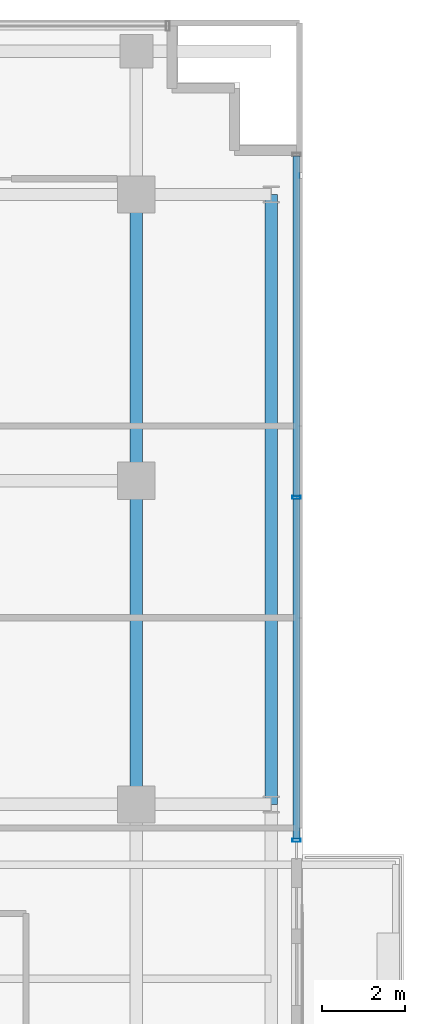
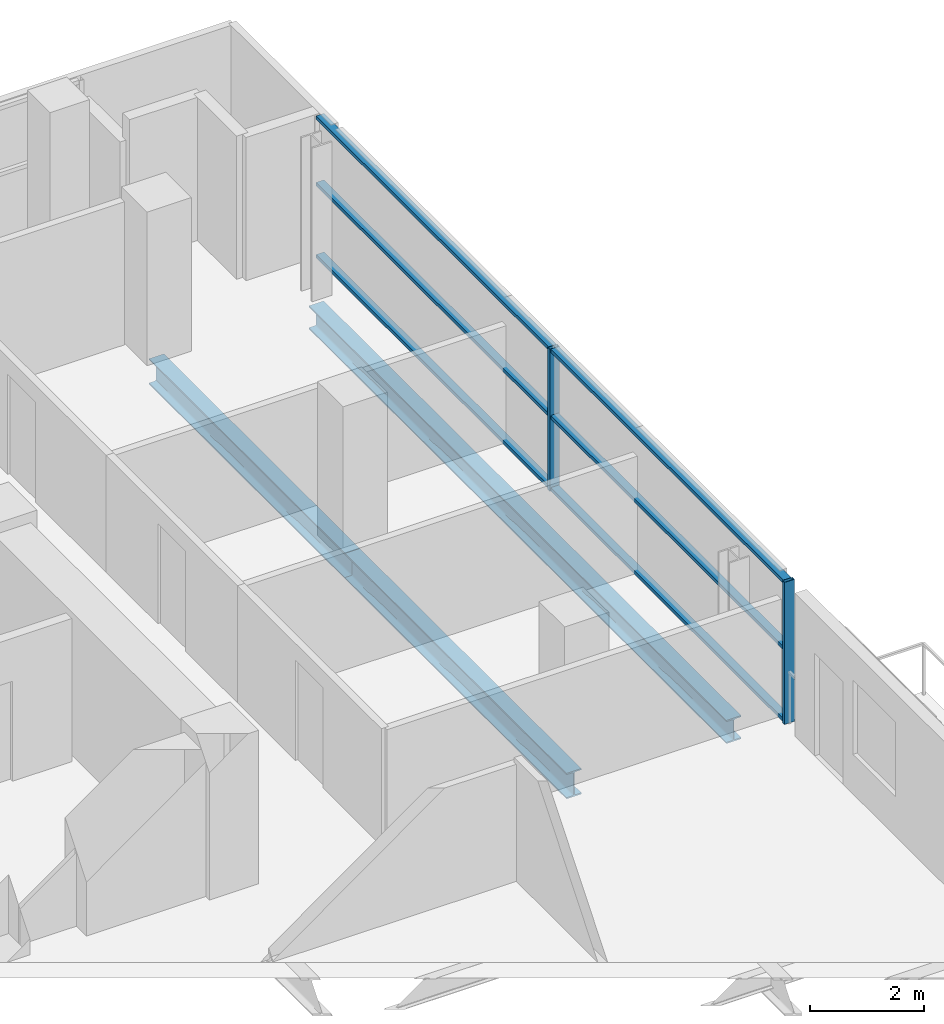
# One storey, part 13 of 25: 8 members, 3 beams, 1 element without a shape of its own.
"""IFC4 building model written with IfcOpenShell, lengths in metres."""

from ifc_helpers import new_model, si_unit, direction, frame, origin, origin_2d, place, context, subcontext, project, spatial, hollow_rectangle, i_section, extrude, source, transform, mapped, material, layer, layer_set, material_profile, profile_set, type_object, element, aggregate, save


model = new_model("IFC4")

# Units and contexts
model_context = context("Model", 3, precision=1e-05, world=origin(), true_north=direction((0.0, 1.0)))
body_context = subcontext(model_context, "Body", "Model", "MODEL_VIEW")
ifc_project = project(units=[si_unit("LENGTHUNIT", "METRE"), si_unit("AREAUNIT", "SQUARE_METRE"), si_unit("VOLUMEUNIT", "CUBIC_METRE"), si_unit("PLANEANGLEUNIT", "RADIAN"), si_unit("MASSUNIT", "GRAM", prefix="KILO")], contexts=[model_context])

# Site, building, storey
site_placement = place(None, origin())
site = spatial("IfcSite", under=ifc_project, at=site_placement, CompositionType="ELEMENT")
building_placement = place(site_placement, origin())
building = spatial("IfcBuilding", under=site, at=building_placement, Name="Zarnakvel Exchange Tower", CompositionType="ELEMENT")
storey_placement = place(building_placement, frame((0.0, 0.0, 100.0)))
storey = spatial("IfcBuildingStorey", under=building, at=storey_placement, Name="L27", CompositionType="ELEMENT", Elevation=100.0)

# Beams
ifc_material_1 = material(Name="Steel S355", Category="steel")
ifc_material_profile_1 = material_profile(ifc_material_1, i_section(OverallWidth=0.300048828125, OverallDepth=0.550048828125, WebThickness=0.014892578125, FlangeThickness=0.029052734375, FilletRadius=0.027099609375, at=origin_2d()))
ifc_profile_set_1 = profile_set([ifc_material_profile_1], Name="Steel S355")
beam_type_1 = type_object("IfcBeamType", Name="G-05", PredefinedType="BEAM", material=ifc_profile_set_1)
beam_1_placement = place(storey_placement, frame((21.60009765625, -1.199951171875, -0.5), z_axis=(0.0, 1.0, 0.0), x_axis=(-1.0, 0.0, 0.0)))
element("IfcBeam", 1, at=beam_1_placement, inside=storey, type_object=beam_type_1, Name="L27 Tower N-S Frame Beam", PredefinedType="BEAM", context=body_context, shape_type="SweptSolid", body=[
    extrude(i_section(OverallWidth=0.300048828125, OverallDepth=0.550048828125, WebThickness=0.014892578125, FlangeThickness=0.029052734375, FilletRadius=0.027099609375, at=origin_2d()), origin(), (0.0, 0.0, 1.0), 7.800048828125),
])
beam_2_placement = place(storey_placement, frame((21.60009765625, 6.60009765625, -0.5), z_axis=(0.0, 1.0, 0.0), x_axis=(-1.0, 0.0, 0.0)))
element("IfcBeam", 2, at=beam_2_placement, inside=storey, type_object=beam_type_1, Name="L27 Tower N-S Frame Beam", PredefinedType="BEAM", context=body_context, shape_type="SweptSolid", body=[
    extrude(i_section(OverallWidth=0.300048828125, OverallDepth=0.550048828125, WebThickness=0.014892578125, FlangeThickness=0.029052734375, FilletRadius=0.027099609375, at=origin_2d()), origin(), (0.0, 0.0, 1.0), 6.89990234375),
])
ifc_material_profile_2 = material_profile(ifc_material_1, i_section(OverallWidth=0.300048828125, OverallDepth=0.5, WebThickness=0.014404296875, FlangeThickness=0.028076171875, FilletRadius=0.027099609375, at=origin_2d()))
ifc_profile_set_2 = profile_set([ifc_material_profile_2], Name="Steel S355")
beam_type_2 = type_object("IfcBeamType", Name="SP-02", PredefinedType="SPANDREL", material=ifc_profile_set_2)
beam_3_placement = place(storey_placement, frame((24.85009765625, -1.199951171875, -0.47509765625), z_axis=(0.0, 1.0, 0.0), x_axis=(-1.0, 0.0, 0.0)))
element("IfcBeam", 3, at=beam_3_placement, inside=storey, type_object=beam_type_2, Name="L27 Tower N-S Frame Beam", PredefinedType="SPANDREL", context=body_context, shape_type="SweptSolid", body=[
    extrude(i_section(OverallWidth=0.300048828125, OverallDepth=0.5, WebThickness=0.014404296875, FlangeThickness=0.028076171875, FilletRadius=0.027099609375, at=origin_2d()), origin(), (0.0, 0.0, 1.0), 14.699951171875),
])

# Curtain wall, members
ifc_material_2 = material(Name="Architectural Bronze Anodised Aluminium", Category="aluminium")
ifc_layer = layer(ifc_material_2, 0.199951171875)
ifc_layer_set = layer_set([ifc_layer], Name="Architectural Bronze Anodised Aluminium")
curtain_wall_type = type_object("IfcCurtainWallType", Name="CW-04", PredefinedType="NOTDEFINED", material=ifc_layer_set)
curtain_wall_placement = place(storey_placement, origin())
curtain_wall = element("IfcCurtainWall", 4, at=curtain_wall_placement, inside=storey, type_object=curtain_wall_type, Name="L27 Curtain Wall CW-L27-EN (CW-04)", PredefinedType="NOTDEFINED")
ifc_material_profile_3 = material_profile(ifc_material_2, hollow_rectangle(XDim=0.199951171875, YDim=0.074951171875, WallThickness=0.0048828125, at=origin_2d()))
ifc_profile_set_3 = profile_set([ifc_material_profile_3], Name="Architectural Bronze Anodised Aluminium")
member_type_1 = type_object("IfcMemberType", Name="CWM-04", PredefinedType="MULLION", material=ifc_profile_set_3)
shared_shape_1 = source(origin(), body_context, "Body", "SweptSolid", [
    extrude(hollow_rectangle(XDim=0.199951171875, YDim=0.074951171875, WallThickness=0.0048828125, at=origin_2d()), origin(), (0.0, 0.0, 1.0), 3.054931640625),
])
member_1_placement = place(storey_placement, frame((25.4599609375, -2.0625, 0.0), z_axis=(0.0, 0.0, 1.0), x_axis=(-1.0, 0.0, 0.0)))
member_1 = element("IfcMember", 5, at=member_1_placement, type_object=member_type_1, Name="CW-04 mullion 1", PredefinedType="MULLION", context=body_context, shape_type="MappedRepresentation", body=[
    mapped(shared_shape_1, transform((0.0, 0.0, 0.0), x_axis=(1.0, 0.0, 0.0), y_axis=(0.0, 1.0, 0.0), z_axis=(0.0, 0.0, 1.0), scale=1.0)),
])
member_2_placement = place(storey_placement, frame((25.4599609375, 6.199951171875, 0.0), z_axis=(0.0, 0.0, 1.0), x_axis=(-1.0, 0.0, 0.0)))
member_2 = element("IfcMember", 6, at=member_2_placement, type_object=member_type_1, Name="CW-04 mullion 2", PredefinedType="MULLION", context=body_context, shape_type="MappedRepresentation", body=[
    mapped(shared_shape_1, transform((0.0, 0.0, 0.0), x_axis=(1.0, 0.0, 0.0), y_axis=(0.0, 1.0, 0.0), z_axis=(0.0, 0.0, 1.0), scale=1.0)),
])
ifc_material_profile_4 = material_profile(ifc_material_2, hollow_rectangle(XDim=0.159912109375, YDim=0.074951171875, WallThickness=0.00390625, at=origin_2d()))
ifc_profile_set_4 = profile_set([ifc_material_profile_4], Name="Architectural Bronze Anodised Aluminium")
member_type_2 = type_object("IfcMemberType", Name="CWT-04", PredefinedType="USERDEFINED", material=ifc_profile_set_4)
shared_shape_2 = source(origin(), body_context, "Body", "SweptSolid", [
    extrude(hollow_rectangle(XDim=0.159912109375, YDim=0.074951171875, WallThickness=0.00390625, at=origin_2d()), origin(), (0.0, 0.0, 1.0), 8.1875),
])
member_3_placement = place(storey_placement, frame((25.4599609375, -2.02490234375, 0.03759765625), z_axis=(0.0, 1.0, 0.0), x_axis=(-1.0, 0.0, 0.0)))
member_3 = element("IfcMember", 7, at=member_3_placement, type_object=member_type_2, Name="CW-04 transom 1.1", ObjectType="TRANSOM", PredefinedType="USERDEFINED", context=body_context, shape_type="MappedRepresentation", body=[
    mapped(shared_shape_2, transform((0.0, 0.0, 0.0), x_axis=(1.0, 0.0, 0.0), y_axis=(0.0, 1.0, 0.0), z_axis=(0.0, 0.0, 1.0), scale=1.0)),
])
member_4_placement = place(storey_placement, frame((25.4599609375, -2.02490234375, 1.588623046875), z_axis=(0.0, 1.0, 0.0), x_axis=(-1.0, 0.0, 0.0)))
member_4 = element("IfcMember", 8, at=member_4_placement, type_object=member_type_2, Name="CW-04 transom 1.2", ObjectType="TRANSOM", PredefinedType="USERDEFINED", context=body_context, shape_type="MappedRepresentation", body=[
    mapped(shared_shape_2, transform((0.0, 0.0, 0.0), x_axis=(1.0, 0.0, 0.0), y_axis=(0.0, 1.0, 0.0), z_axis=(0.0, 0.0, 1.0), scale=1.0)),
])
member_5_placement = place(storey_placement, frame((25.4599609375, -2.02490234375, 3.017578125), z_axis=(0.0, 1.0, 0.0), x_axis=(-1.0, 0.0, 0.0)))
member_5 = element("IfcMember", 9, at=member_5_placement, type_object=member_type_2, Name="CW-04 transom 1.3", ObjectType="TRANSOM", PredefinedType="USERDEFINED", context=body_context, shape_type="MappedRepresentation", body=[
    mapped(shared_shape_2, transform((0.0, 0.0, 0.0), x_axis=(1.0, 0.0, 0.0), y_axis=(0.0, 1.0, 0.0), z_axis=(0.0, 0.0, 1.0), scale=1.0)),
])
member_6_placement = place(storey_placement, frame((25.4599609375, 6.237548828125, 0.03759765625), z_axis=(0.0, 1.0, 0.0), x_axis=(-1.0, 0.0, 0.0)))
member_6 = element("IfcMember", 10, at=member_6_placement, type_object=member_type_2, Name="CW-04 transom 2.1", ObjectType="TRANSOM", PredefinedType="USERDEFINED", context=body_context, shape_type="MappedRepresentation", body=[
    mapped(shared_shape_2, transform((0.0, 0.0, 0.0), x_axis=(1.0, 0.0, 0.0), y_axis=(0.0, 1.0, 0.0), z_axis=(0.0, 0.0, 1.0), scale=1.0)),
])
member_7_placement = place(storey_placement, frame((25.4599609375, 6.237548828125, 1.588623046875), z_axis=(0.0, 1.0, 0.0), x_axis=(-1.0, 0.0, 0.0)))
member_7 = element("IfcMember", 11, at=member_7_placement, type_object=member_type_2, Name="CW-04 transom 2.2", ObjectType="TRANSOM", PredefinedType="USERDEFINED", context=body_context, shape_type="MappedRepresentation", body=[
    mapped(shared_shape_2, transform((0.0, 0.0, 0.0), x_axis=(1.0, 0.0, 0.0), y_axis=(0.0, 1.0, 0.0), z_axis=(0.0, 0.0, 1.0), scale=1.0)),
])
member_8_placement = place(storey_placement, frame((25.4599609375, 6.237548828125, 3.017578125), z_axis=(0.0, 1.0, 0.0), x_axis=(-1.0, 0.0, 0.0)))
member_8 = element("IfcMember", 12, at=member_8_placement, type_object=member_type_2, Name="CW-04 transom 2.3", ObjectType="TRANSOM", PredefinedType="USERDEFINED", context=body_context, shape_type="MappedRepresentation", body=[
    mapped(shared_shape_2, transform((0.0, 0.0, 0.0), x_axis=(1.0, 0.0, 0.0), y_axis=(0.0, 1.0, 0.0), z_axis=(0.0, 0.0, 1.0), scale=1.0)),
])
aggregate(curtain_wall, [member_1, member_2, member_3, member_4, member_5, member_6, member_7, member_8])

save(model, "model.ifc")
